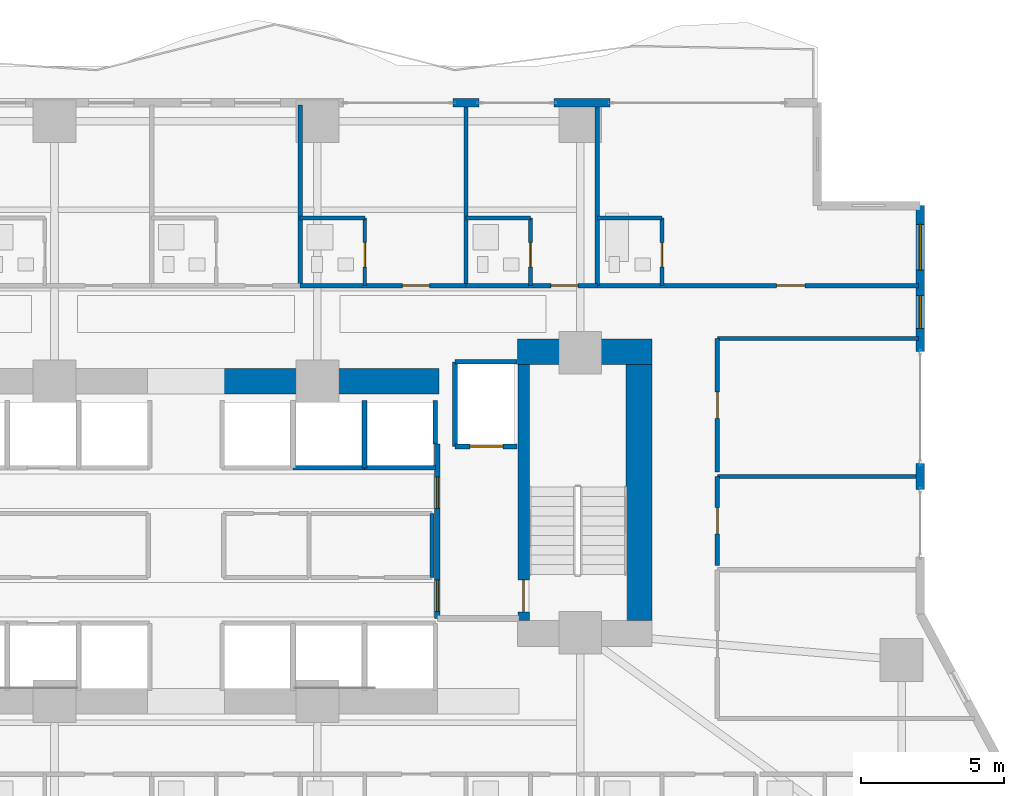
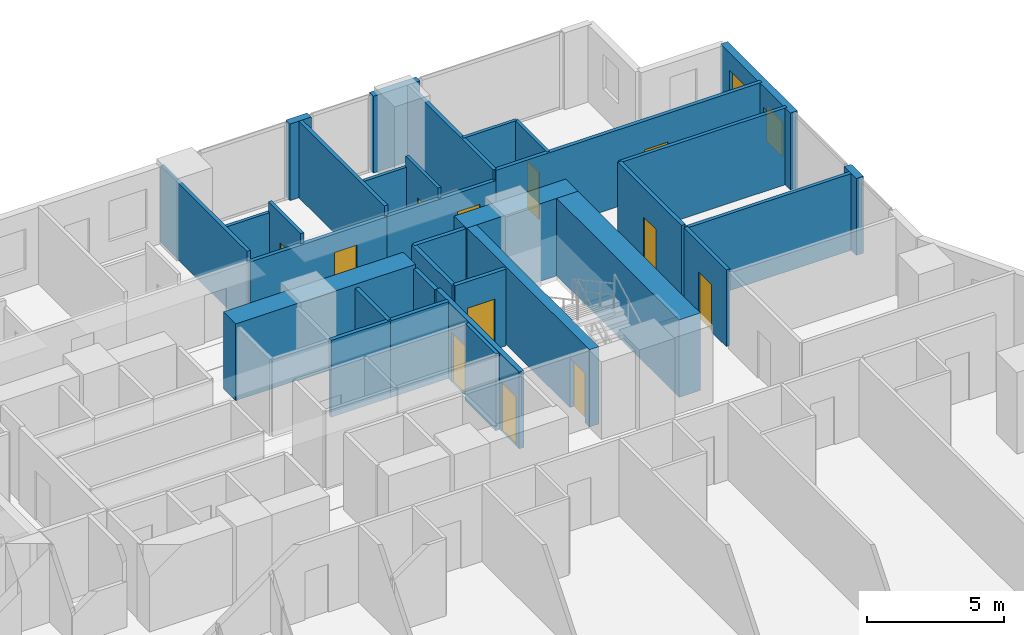
# One storey, part 22 of 28: 33 walls, 12 doors, 2 windows, 14 openings.
"""IFC4 building model written with IfcOpenShell, lengths in metres."""

from ifc_helpers import new_model, si_unit, direction, frame, frame_2d, origin, place, context, subcontext, project, spatial, rectangle, extrude, material, layer, layer_set, type_object, element, fill, save


model = new_model("IFC4")

# Units and contexts
model_context = context("Model", 3, precision=1e-05, world=origin(), true_north=direction((0.0, 1.0)))
body_context = subcontext(model_context, "Body", "Model", "MODEL_VIEW")
ifc_project = project(units=[si_unit("LENGTHUNIT", "METRE"), si_unit("AREAUNIT", "SQUARE_METRE"), si_unit("VOLUMEUNIT", "CUBIC_METRE"), si_unit("PLANEANGLEUNIT", "RADIAN"), si_unit("MASSUNIT", "GRAM", prefix="KILO")], contexts=[model_context])

# Site, building, storey
site_placement = place(None, origin())
site = spatial("IfcSite", under=ifc_project, at=site_placement, CompositionType="ELEMENT")
building_placement = place(site_placement, origin())
building = spatial("IfcBuilding", under=site, at=building_placement, Name="Zuhayl Quay Hotel", CompositionType="ELEMENT")
storey_placement = place(building_placement, frame((0.0, 0.0, 31.25)))
storey = spatial("IfcBuildingStorey", under=building, at=storey_placement, Name="L06", CompositionType="ELEMENT", Elevation=31.25)

# Walls
ifc_material_1 = material(Name="Concrete C70/85", Category="concrete")
ifc_layer_1 = layer(ifc_material_1, 0.89990234375, Name="Concrete C70/85", Category="concrete")
ifc_layer_set_1 = layer_set([ifc_layer_1], Name="Concrete C70/85")
wall_type_1 = type_object("IfcWallType", Name="WL_CORE_900", PredefinedType="SHEAR", material=ifc_layer_set_1)
wall_1_placement = place(storey_placement, frame((11.60009765625, 14.3798828125, 0.0), z_axis=(0.0, 0.0, 1.0), x_axis=(1.0, 0.0, 0.0)))
element("IfcWall", 1, at=wall_1_placement, inside=storey, type_object=wall_type_1, Name="L06 Core Shear Wall CW_NE", PredefinedType="SHEAR", context=body_context, shape_type="SweptSolid", body=[
    extrude(rectangle(XDim=4.7099609375, YDim=0.89990234375, at=frame_2d((2.35498046875, 0.0))), origin(), (0.0, 0.0, 1.0), 3.4599609375),
])
wall_2_placement = place(storey_placement, frame((15.860107421875, 4.969970703125, 0.0), z_axis=(0.0, 0.0, 1.0), x_axis=(0.0, 1.0, 0.0)))
element("IfcWall", 2, at=wall_2_placement, inside=storey, type_object=wall_type_1, Name="L06 Core Shear Wall CW_E", PredefinedType="SHEAR", context=body_context, shape_type="SweptSolid", body=[
    extrude(rectangle(XDim=8.9599609375, YDim=0.89990234375, at=frame_2d((4.47998046875, 0.0))), origin(), (0.0, 0.0, 1.0), 3.4599609375),
])
wall_3_placement = place(storey_placement, frame((1.25, 13.35009765625, 0.0), z_axis=(0.0, 0.0, 1.0), x_axis=(1.0, 0.0, 0.0)))
element("IfcWall", 3, at=wall_3_placement, inside=storey, type_object=wall_type_1, Name="L06 Core Shear Wall CW_NC_E", PredefinedType="SHEAR", context=body_context, shape_type="SweptSolid", body=[
    extrude(rectangle(XDim=7.60009765625, YDim=0.89990234375, at=frame_2d((3.800048828125, 0.0))), origin(), (0.0, 0.0, 1.0), 3.429931640625),
])
ifc_material_2 = material(Name="Precast concrete C45/55", Category="concrete")
ifc_layer_2 = layer(ifc_material_2, 0.300048828125, Name="Precast concrete C45/55", Category="concrete")
ifc_layer_set_2 = layer_set([ifc_layer_2], Name="Precast concrete C45/55")
wall_type_2 = type_object("IfcWallType", Name="WL_EXT_300", PredefinedType="STANDARD", material=ifc_layer_set_2)
wall_4_placement = place(storey_placement, frame((9.35009765625, 23.10009765625, 0.0), z_axis=(0.0, 0.0, 1.0), x_axis=(1.0, 0.0, 0.0)))
element("IfcWall", 4, at=wall_4_placement, inside=storey, type_object=wall_type_2, Name="L06 Exterior Precast Wall ENV_L06_N_EW3", PredefinedType="STANDARD", context=body_context, shape_type="SweptSolid", body=[
    extrude(rectangle(XDim=0.89990234375, YDim=0.300048828125, at=frame_2d((0.449951171875, 0.0))), origin(), (0.0, 0.0, 1.0), 3.429931640625),
])
wall_5_placement = place(storey_placement, frame((12.8798828125, 23.10009765625, 0.0), z_axis=(0.0, 0.0, 1.0), x_axis=(1.0, 0.0, 0.0)))
element("IfcWall", 5, at=wall_5_placement, inside=storey, type_object=wall_type_2, Name="L06 Exterior Precast Wall ENV_L06_N_EW4", PredefinedType="STANDARD", context=body_context, shape_type="SweptSolid", body=[
    extrude(rectangle(XDim=1.97021484375, YDim=0.300048828125, at=frame_2d((0.985107421875, 0.0))), origin(), (0.0, 0.0, 1.0), 3.429931640625),
])

# Wall, openings, windows
wall_6_placement = place(storey_placement, frame((25.699951171875, 19.5, 0.0), z_axis=(0.0, 0.0, 1.0), x_axis=(0.0, -1.0, 0.0)))
wall_6 = element("IfcWall", 6, at=wall_6_placement, inside=storey, type_object=wall_type_2, Name="L06 Exterior Precast Wall ENV_L06_E11_EW1", PredefinedType="STANDARD", context=body_context, shape_type="SweptSolid", body=[
    extrude(rectangle(XDim=5.10009765625, YDim=0.300048828125, at=frame_2d((2.550048828125, 0.0))), origin(), (0.0, 0.0, 1.0), 3.429931640625),
])
opening_1_placement = place(wall_6_placement, frame((0.659912109375, 0.0, 0.85009765625)))
opening_1 = element("IfcOpeningElement", 7, at=opening_1_placement, cuts=wall_6, Name="Opening W01", PredefinedType="OPENING", context=body_context, shape_type="SweptSolid", body=[
    extrude(rectangle(XDim=1.60009765625, YDim=1.800048828125, at=frame_2d((0.800048828125, 0.89990234375))), frame((0.0, 0.159912109375, 0.0), z_axis=(0.0, -1.0, 0.0), x_axis=(1.0, 0.0, 0.0)), (0.0, 0.0, 1.0), 0.320068359375),
])
opening_2_placement = place(wall_6_placement, frame((3.14990234375, 0.0, 0.949951171875)))
opening_2 = element("IfcOpeningElement", 8, at=opening_2_placement, cuts=wall_6, Name="Opening W01N", PredefinedType="OPENING", context=body_context, shape_type="SweptSolid", body=[
    extrude(rectangle(XDim=1.14990234375, YDim=1.550048828125, at=frame_2d((0.574951171875, 0.77490234375))), frame((0.0, 0.159912109375, 0.0), z_axis=(0.0, -1.0, 0.0), x_axis=(1.0, 0.0, 0.0)), (0.0, 0.0, 1.0), 0.320068359375),
])
ifc_material_3 = material(Name="Dark Ceramic-Fritted Solar Glass", Category="glass")
window_type_1 = type_object("IfcWindowType", Name="WN_NOTCH_1350", PartitioningType="SINGLE_PANEL", PredefinedType="WINDOW", material=ifc_material_3)
window_1_placement = place(opening_2_placement, origin())
window_1 = element("IfcWindow", 9, at=window_1_placement, inside=storey, type_object=window_type_1, Name="L06 Operable Facade Window 1-2", OverallHeight=1.550048828125, OverallWidth=1.14990234375, PartitioningType="SINGLE_PANEL", PredefinedType="WINDOW", context=body_context, shape_type="SweptSolid", body=[
    extrude(rectangle(XDim=1.14990234375, YDim=1.550048828125, at=frame_2d((0.574951171875, 0.77490234375))), frame((0.0, 0.030029296875, 0.0), z_axis=(0.0, -1.0, 0.0), x_axis=(1.0, 0.0, 0.0)), (0.0, 0.0, 1.0), 0.06005859375),
])
fill(opening_2, window_1)
window_type_2 = type_object("IfcWindowType", Name="WN_OPERABLE_1600", PartitioningType="DOUBLE_PANEL_VERTICAL", PredefinedType="WINDOW", material=ifc_material_3)
window_2_placement = place(opening_1_placement, origin())
window_2 = element("IfcWindow", 10, at=window_2_placement, inside=storey, type_object=window_type_2, Name="L06 Operable Facade Window 1-1", OverallHeight=1.800048828125, OverallWidth=1.60009765625, PartitioningType="SINGLE_PANEL", PredefinedType="WINDOW", context=body_context, shape_type="SweptSolid", body=[
    extrude(rectangle(XDim=1.60009765625, YDim=1.800048828125, at=frame_2d((0.800048828125, 0.89990234375))), frame((0.0, 0.030029296875, 0.0), z_axis=(0.0, -1.0, 0.0), x_axis=(1.0, 0.0, 0.0)), (0.0, 0.0, 1.0), 0.06005859375),
])
fill(opening_1, window_2)

# Walls
wall_7_placement = place(storey_placement, frame((25.699951171875, 10.469970703125, 0.0), z_axis=(0.0, 0.0, 1.0), x_axis=(0.0, -1.0, 0.0)))
element("IfcWall", 11, at=wall_7_placement, inside=storey, type_object=wall_type_2, Name="L06 Exterior Precast Wall ENV_L06_E11_EW2", PredefinedType="STANDARD", context=body_context, shape_type="SweptSolid", body=[
    extrude(rectangle(XDim=0.89990234375, YDim=0.300048828125, at=frame_2d((0.449951171875, 0.0))), origin(), (0.0, 0.0, 1.0), 3.429931640625),
])
ifc_material_4 = material(Name="Acoustic Gypsum Partition STC-58")
ifc_layer_3 = layer(ifc_material_4, 0.14990234375, Name="Acoustic Gypsum Partition STC-58")
ifc_layer_set_3 = layer_set([ifc_layer_3], Name="Acoustic Gypsum Partition STC-58")
wall_type_3 = type_object("IfcWallType", Name="WL_PART_150", PredefinedType="PARTITIONING", material=ifc_layer_set_3)
wall_8_placement = place(storey_placement, frame((8.610107421875, 6.47998046875, 0.0), z_axis=(0.0, 0.0, 1.0), x_axis=(0.0, 1.0, 0.0)))
element("IfcWall", 12, at=wall_8_placement, inside=storey, type_object=wall_type_3, Name="L06 Partition IW_L06_CORE_LN_E", PredefinedType="PARTITIONING", context=body_context, shape_type="SweptSolid", body=[
    extrude(rectangle(XDim=2.239990234375, YDim=0.14990234375, at=frame_2d((1.1201171875, 0.0))), origin(), (0.0, 0.0, 1.0), 3.429931640625),
])
for number, where, z_axis, x_axis, name in (
    (13, (4.0, 16.699951171875, 0.0), (0.0, 0.0, 1.0), (0.0, 1.0, 0.0), "L06 Partition IW_L06_NU04_E"),
    (14, (9.800048828125, 16.699951171875, 0.0), (0.0, 0.0, 1.0), (0.0, 1.0, 0.0), "L06 Partition IW_L06_NU05_E"),
    (15, (14.39990234375, 16.699951171875, 0.0), (0.0, 0.0, 1.0), (0.0, 1.0, 0.0), "L06 Partition IW_L06_NU06_E"),
):
    element("IfcWall", number, at=place(storey_placement, frame(where, z_axis=z_axis, x_axis=x_axis)), inside=storey, type_object=wall_type_3, Name=name, PredefinedType="PARTITIONING", context=body_context, shape_type="SweptSolid", body=[
        extrude(rectangle(XDim=6.320068359375, YDim=0.14990234375, at=frame_2d((3.16015625, 0.0))), origin(), (0.0, 0.0, 1.0), 3.429931640625),
    ])
for number, where, z_axis, x_axis, name in (
    (16, (18.60009765625, 10.02001953125, 0.0), (0.0, 0.0, 1.0), (1.0, 0.0, 0.0), "L06 Partition IW_L06_EFLK_2_N"),
    (17, (18.60009765625, 14.85009765625, 0.0), (0.0, 0.0, 1.0), (1.0, 0.0, 0.0), "L06 Partition IW_L06_EFLK_3_N"),
):
    element("IfcWall", number, at=place(storey_placement, frame(where, z_axis=z_axis, x_axis=x_axis)), inside=storey, type_object=wall_type_3, Name=name, PredefinedType="PARTITIONING", context=body_context, shape_type="SweptSolid", body=[
        extrude(rectangle(XDim=7.039794921875, YDim=0.14990234375, at=frame_2d((3.52001953125, 0.0))), origin(), (0.0, 0.0, 1.0), 3.429931640625),
    ])

# Wall, opening, door
ifc_layer_4 = layer(ifc_material_4, 0.159912109375, Name="Acoustic Gypsum Partition STC-58")
ifc_layer_set_4 = layer_set([ifc_layer_4], Name="Acoustic Gypsum Partition STC-58")
wall_type_4 = type_object("IfcWallType", Name="WL_PART_CORR_160", PredefinedType="PARTITIONING", material=ifc_layer_set_4)
wall_9_placement = place(storey_placement, frame((4.0, 16.699951171875, 0.0), z_axis=(0.0, 0.0, 1.0), x_axis=(1.0, 0.0, 0.0)))
wall_9 = element("IfcWall", 18, at=wall_9_placement, inside=storey, type_object=wall_type_4, Name="L06 Partition IW_L06_NU05_COR", PredefinedType="PARTITIONING", context=body_context, shape_type="SweptSolid", body=[
    extrude(rectangle(XDim=5.800048828125, YDim=0.159912109375, at=frame_2d((2.89990234375, 0.0))), origin(), (0.0, 0.0, 1.0), 2.972900390625),
])
opening_3_placement = place(wall_9_placement, frame((3.574951171875, 0.0, 0.0)))
opening_3 = element("IfcOpeningElement", 19, at=opening_3_placement, cuts=wall_9, Name="Opening D03", PredefinedType="OPENING", context=body_context, shape_type="SweptSolid", body=[
    extrude(rectangle(XDim=0.949951171875, YDim=2.14990234375, at=frame_2d((0.47509765625, 1.074951171875))), frame((0.0, 0.08984375, 0.0), z_axis=(0.0, -1.0, 0.0), x_axis=(1.0, 0.0, 0.0)), (0.0, 0.0, 1.0), 0.179931640625),
])
ifc_material_5 = material(Name="Solid Walnut Acoustic Fire Door")
door_type_1 = type_object("IfcDoorType", Name="DR_SUITE_950", OperationType="NOTDEFINED", PredefinedType="DOOR", material=ifc_material_5)
door_1_placement = place(opening_3_placement, origin())
door_1 = element("IfcDoor", 20, at=door_1_placement, inside=storey, type_object=door_type_1, Name="L06 Deluxe Gulf Guest Room L06-05 Entrance Door", OperationType="SINGLE_SWING_LEFT", OverallHeight=2.14990234375, OverallWidth=0.949951171875, PredefinedType="DOOR", context=body_context, shape_type="SweptSolid", body=[
    extrude(rectangle(XDim=0.949951171875, YDim=2.14990234375, at=frame_2d((0.47509765625, 1.074951171875))), frame((0.0, 0.02490234375, 0.0), z_axis=(0.0, -1.0, 0.0), x_axis=(1.0, 0.0, 0.0)), (0.0, 0.0, 1.0), 0.050048828125),
])
fill(opening_3, door_1)

wall_10_placement = place(storey_placement, frame((9.800048828125, 16.699951171875, 0.0), z_axis=(0.0, 0.0, 1.0), x_axis=(1.0, 0.0, 0.0)))
wall_10 = element("IfcWall", 21, at=wall_10_placement, inside=storey, type_object=wall_type_4, Name="L06 Partition IW_L06_NU06_COR", PredefinedType="PARTITIONING", context=body_context, shape_type="SweptSolid", body=[
    extrude(rectangle(XDim=4.599853515625, YDim=0.159912109375, at=frame_2d((2.2998046875, 0.0))), origin(), (0.0, 0.0, 1.0), 2.972900390625),
])
opening_4_placement = place(wall_10_placement, frame((2.97509765625, 0.0, 0.0)))
opening_4 = element("IfcOpeningElement", 22, at=opening_4_placement, cuts=wall_10, Name="Opening D03", PredefinedType="OPENING", context=body_context, shape_type="SweptSolid", body=[
    extrude(rectangle(XDim=0.949951171875, YDim=2.14990234375, at=frame_2d((0.47509765625, 1.074951171875))), frame((0.0, 0.08984375, 0.0), z_axis=(0.0, -1.0, 0.0), x_axis=(1.0, 0.0, 0.0)), (0.0, 0.0, 1.0), 0.179931640625),
])
door_2_placement = place(opening_4_placement, origin())
door_2 = element("IfcDoor", 23, at=door_2_placement, inside=storey, type_object=door_type_1, Name="L06 Deluxe Gulf Guest Room L06-06 Entrance Door", OperationType="SINGLE_SWING_LEFT", OverallHeight=2.14990234375, OverallWidth=0.949951171875, PredefinedType="DOOR", context=body_context, shape_type="SweptSolid", body=[
    extrude(rectangle(XDim=0.949951171875, YDim=2.14990234375, at=frame_2d((0.47509765625, 1.074951171875))), frame((0.0, 0.02490234375, 0.0), z_axis=(0.0, -1.0, 0.0), x_axis=(1.0, 0.0, 0.0)), (0.0, 0.0, 1.0), 0.050048828125),
])
fill(opening_4, door_2)

wall_11_placement = place(storey_placement, frame((14.39990234375, 16.699951171875, 0.0), z_axis=(0.0, 0.0, 1.0), x_axis=(1.0, 0.0, 0.0)))
wall_11 = element("IfcWall", 24, at=wall_11_placement, inside=storey, type_object=wall_type_4, Name="L06 Partition IW_L06_NU07_COR", PredefinedType="PARTITIONING", context=body_context, shape_type="SweptSolid", body=[
    extrude(rectangle(XDim=11.239990234375, YDim=0.159912109375, at=frame_2d((5.6201171875, 0.0))), origin(), (0.0, 0.0, 1.0), 3.429931640625),
])
opening_5_placement = place(wall_11_placement, frame((6.27001953125, 0.0, 0.0)))
opening_5 = element("IfcOpeningElement", 25, at=opening_5_placement, cuts=wall_11, Name="Opening D03L", PredefinedType="OPENING", context=body_context, shape_type="SweptSolid", body=[
    extrude(rectangle(XDim=1.0, YDim=2.14990234375, at=frame_2d((0.5, 1.074951171875))), frame((0.0, 0.08984375, 0.0), z_axis=(0.0, -1.0, 0.0), x_axis=(1.0, 0.0, 0.0)), (0.0, 0.0, 1.0), 0.179931640625),
])
door_type_2 = type_object("IfcDoorType", Name="DR_SUITE_1000", OperationType="NOTDEFINED", PredefinedType="DOOR", material=ifc_material_5)
door_3_placement = place(opening_5_placement, origin())
door_3 = element("IfcDoor", 26, at=door_3_placement, inside=storey, type_object=door_type_2, Name="L06 Deluxe Gulf Guest Room L06-07 Entrance Door", OperationType="SINGLE_SWING_LEFT", OverallHeight=2.14990234375, OverallWidth=1.0, PredefinedType="DOOR", context=body_context, shape_type="SweptSolid", body=[
    extrude(rectangle(XDim=1.0, YDim=2.14990234375, at=frame_2d((0.5, 1.074951171875))), frame((0.0, 0.02490234375, 0.0), z_axis=(0.0, -1.0, 0.0), x_axis=(1.0, 0.0, 0.0)), (0.0, 0.0, 1.0), 0.050048828125),
])
fill(opening_5, door_3)

wall_12_placement = place(storey_placement, frame((18.60009765625, 6.909912109375, 0.0), z_axis=(0.0, 0.0, 1.0), x_axis=(0.0, 1.0, 0.0)))
wall_12 = element("IfcWall", 27, at=wall_12_placement, inside=storey, type_object=wall_type_4, Name="L06 Partition IW_L06_EFLK_2_W", PredefinedType="PARTITIONING", context=body_context, shape_type="SweptSolid", body=[
    extrude(rectangle(XDim=3.110107421875, YDim=0.159912109375, at=frame_2d((1.55517578125, 0.0))), origin(), (0.0, 0.0, 1.0), 3.429931640625),
])
opening_6_placement = place(wall_12_placement, frame((1.094970703125, 0.0, 0.0)))
opening_6 = element("IfcOpeningElement", 28, at=opening_6_placement, cuts=wall_12, Name="Opening D05", PredefinedType="OPENING", context=body_context, shape_type="SweptSolid", body=[
    extrude(rectangle(XDim=0.919921875, YDim=2.1201171875, at=frame_2d((0.4599609375, 1.06005859375))), frame((0.0, 0.08984375, 0.0), z_axis=(0.0, -1.0, 0.0), x_axis=(1.0, 0.0, 0.0)), (0.0, 0.0, 1.0), 0.179931640625),
])
door_type_3 = type_object("IfcDoorType", Name="DR_INT_950", OperationType="NOTDEFINED", PredefinedType="DOOR", material=ifc_material_5)
door_4_placement = place(opening_6_placement, origin())
door_4 = element("IfcDoor", 29, at=door_4_placement, inside=storey, type_object=door_type_3, Name="L06 Floor Beverage Pantry Door", OperationType="SINGLE_SWING_LEFT", OverallHeight=2.1201171875, OverallWidth=0.919921875, PredefinedType="DOOR", context=body_context, shape_type="SweptSolid", body=[
    extrude(rectangle(XDim=0.919921875, YDim=2.1201171875, at=frame_2d((0.4599609375, 1.06005859375))), frame((0.0, 0.02490234375, 0.0), z_axis=(0.0, -1.0, 0.0), x_axis=(1.0, 0.0, 0.0)), (0.0, 0.0, 1.0), 0.050048828125),
])
fill(opening_6, door_4)

wall_13_placement = place(storey_placement, frame((18.60009765625, 10.179931640625, 0.0), z_axis=(0.0, 0.0, 1.0), x_axis=(0.0, 1.0, 0.0)))
wall_13 = element("IfcWall", 30, at=wall_13_placement, inside=storey, type_object=wall_type_4, Name="L06 Partition IW_L06_EFLK_3_W", PredefinedType="PARTITIONING", context=body_context, shape_type="SweptSolid", body=[
    extrude(rectangle(XDim=4.670166015625, YDim=0.159912109375, at=frame_2d((2.3349609375, 0.0))), origin(), (0.0, 0.0, 1.0), 3.429931640625),
])
opening_7_placement = place(wall_13_placement, frame((1.875, 0.0, 0.0)))
opening_7 = element("IfcOpeningElement", 31, at=opening_7_placement, cuts=wall_13, Name="Opening D05", PredefinedType="OPENING", context=body_context, shape_type="SweptSolid", body=[
    extrude(rectangle(XDim=0.919921875, YDim=2.1201171875, at=frame_2d((0.4599609375, 1.06005859375))), frame((0.0, 0.08984375, 0.0), z_axis=(0.0, -1.0, 0.0), x_axis=(1.0, 0.0, 0.0)), (0.0, 0.0, 1.0), 0.179931640625),
])
door_5_placement = place(opening_7_placement, origin())
door_5 = element("IfcDoor", 32, at=door_5_placement, inside=storey, type_object=door_type_3, Name="L06 East Prow Office L06 Door", OperationType="SINGLE_SWING_RIGHT", OverallHeight=2.1201171875, OverallWidth=0.919921875, PredefinedType="DOOR", context=body_context, shape_type="SweptSolid", body=[
    extrude(rectangle(XDim=0.919921875, YDim=2.1201171875, at=frame_2d((0.4599609375, 1.06005859375))), frame((0.0, 0.02490234375, 0.0), z_axis=(0.0, -1.0, 0.0), x_axis=(1.0, 0.0, 0.0)), (0.0, 0.0, 1.0), 0.050048828125),
])
fill(opening_7, door_5)

ifc_material_6 = material(Name="Moisture-Resistant Sanitarychase Gypsum")
ifc_layer_5 = layer(ifc_material_6, 0.135009765625, Name="Moisture-Resistant Sanitarychase Gypsum")
ifc_layer_set_5 = layer_set([ifc_layer_5], Name="Moisture-Resistant Sanitarychase Gypsum")
wall_type_5 = type_object("IfcWallType", Name="WL_PART_PLUMB_150", PredefinedType="PLUMBINGWALL", material=ifc_layer_set_5)
wall_14_placement = place(storey_placement, frame((6.260009765625, 16.699951171875, 0.0), z_axis=(0.0, 0.0, 1.0), x_axis=(0.0, 1.0, 0.0)))
wall_14 = element("IfcWall", 33, at=wall_14_placement, inside=storey, type_object=wall_type_5, Name="L06 Partition IW_L06_NU05_BE", PredefinedType="PLUMBINGWALL", context=body_context, shape_type="SweptSolid", body=[
    extrude(rectangle(XDim=2.360107421875, YDim=0.135009765625, at=frame_2d((1.18017578125, 0.0))), origin(), (0.0, 0.0, 1.0), 3.429931640625),
])
opening_8_placement = place(wall_14_placement, frame((0.64990234375, 0.0, 0.0)))
opening_8 = element("IfcOpeningElement", 34, at=opening_8_placement, cuts=wall_14, Name="Opening D04", PredefinedType="OPENING", context=body_context, shape_type="SweptSolid", body=[
    extrude(rectangle(XDim=0.85009765625, YDim=2.10009765625, at=frame_2d((0.425048828125, 1.050048828125))), frame((0.0, 0.077392578125, 0.0), z_axis=(0.0, -1.0, 0.0), x_axis=(1.0, 0.0, 0.0)), (0.0, 0.0, 1.0), 0.155029296875),
])
ifc_material_7 = material(Name="Moisture-Resistant Walnut Veneer")
door_type_4 = type_object("IfcDoorType", Name="DR_BATH_850", OperationType="NOTDEFINED", PredefinedType="DOOR", material=ifc_material_7)
door_6_placement = place(opening_8_placement, origin())
door_6 = element("IfcDoor", 35, at=door_6_placement, inside=storey, type_object=door_type_4, Name="L06 Deluxe Gulf Guest Room L06-05 En-Suite Door", OperationType="SINGLE_SWING_RIGHT", OverallHeight=2.10009765625, OverallWidth=0.85009765625, PredefinedType="DOOR", context=body_context, shape_type="SweptSolid", body=[
    extrude(rectangle(XDim=0.85009765625, YDim=2.10009765625, at=frame_2d((0.425048828125, 1.050048828125))), frame((0.0, 0.02490234375, 0.0), z_axis=(0.0, -1.0, 0.0), x_axis=(1.0, 0.0, 0.0)), (0.0, 0.0, 1.0), 0.050048828125),
])
fill(opening_8, door_6)

wall_15_placement = place(storey_placement, frame((12.06005859375, 16.699951171875, 0.0), z_axis=(0.0, 0.0, 1.0), x_axis=(0.0, 1.0, 0.0)))
wall_15 = element("IfcWall", 36, at=wall_15_placement, inside=storey, type_object=wall_type_5, Name="L06 Partition IW_L06_NU06_BE", PredefinedType="PLUMBINGWALL", context=body_context, shape_type="SweptSolid", body=[
    extrude(rectangle(XDim=2.360107421875, YDim=0.135009765625, at=frame_2d((1.18017578125, 0.0))), origin(), (0.0, 0.0, 1.0), 3.429931640625),
])
opening_9_placement = place(wall_15_placement, frame((0.64990234375, 0.0, 0.0)))
opening_9 = element("IfcOpeningElement", 37, at=opening_9_placement, cuts=wall_15, Name="Opening D04", PredefinedType="OPENING", context=body_context, shape_type="SweptSolid", body=[
    extrude(rectangle(XDim=0.85009765625, YDim=2.10009765625, at=frame_2d((0.425048828125, 1.050048828125))), frame((0.0, 0.077392578125, 0.0), z_axis=(0.0, -1.0, 0.0), x_axis=(1.0, 0.0, 0.0)), (0.0, 0.0, 1.0), 0.155029296875),
])
door_7_placement = place(opening_9_placement, origin())
door_7 = element("IfcDoor", 38, at=door_7_placement, inside=storey, type_object=door_type_4, Name="L06 Deluxe Gulf Guest Room L06-06 En-Suite Door", OperationType="SINGLE_SWING_RIGHT", OverallHeight=2.10009765625, OverallWidth=0.85009765625, PredefinedType="DOOR", context=body_context, shape_type="SweptSolid", body=[
    extrude(rectangle(XDim=0.85009765625, YDim=2.10009765625, at=frame_2d((0.425048828125, 1.050048828125))), frame((0.0, 0.02490234375, 0.0), z_axis=(0.0, -1.0, 0.0), x_axis=(1.0, 0.0, 0.0)), (0.0, 0.0, 1.0), 0.050048828125),
])
fill(opening_9, door_7)

wall_16_placement = place(storey_placement, frame((16.659912109375, 16.699951171875, 0.0), z_axis=(0.0, 0.0, 1.0), x_axis=(0.0, 1.0, 0.0)))
wall_16 = element("IfcWall", 39, at=wall_16_placement, inside=storey, type_object=wall_type_5, Name="L06 Partition IW_L06_NU07_BE", PredefinedType="PLUMBINGWALL", context=body_context, shape_type="SweptSolid", body=[
    extrude(rectangle(XDim=2.360107421875, YDim=0.135009765625, at=frame_2d((1.18017578125, 0.0))), origin(), (0.0, 0.0, 1.0), 3.429931640625),
])
opening_10_placement = place(wall_16_placement, frame((0.64990234375, 0.0, 0.0)))
opening_10 = element("IfcOpeningElement", 40, at=opening_10_placement, cuts=wall_16, Name="Opening D04", PredefinedType="OPENING", context=body_context, shape_type="SweptSolid", body=[
    extrude(rectangle(XDim=0.85009765625, YDim=2.10009765625, at=frame_2d((0.425048828125, 1.050048828125))), frame((0.0, 0.077392578125, 0.0), z_axis=(0.0, -1.0, 0.0), x_axis=(1.0, 0.0, 0.0)), (0.0, 0.0, 1.0), 0.155029296875),
])
door_8_placement = place(opening_10_placement, origin())
door_8 = element("IfcDoor", 41, at=door_8_placement, inside=storey, type_object=door_type_4, Name="L06 Deluxe Gulf Guest Room L06-07 En-Suite Door", OperationType="SINGLE_SWING_RIGHT", OverallHeight=2.10009765625, OverallWidth=0.85009765625, PredefinedType="DOOR", context=body_context, shape_type="SweptSolid", body=[
    extrude(rectangle(XDim=0.85009765625, YDim=2.10009765625, at=frame_2d((0.425048828125, 1.050048828125))), frame((0.0, 0.02490234375, 0.0), z_axis=(0.0, -1.0, 0.0), x_axis=(1.0, 0.0, 0.0)), (0.0, 0.0, 1.0), 0.050048828125),
])
fill(opening_10, door_8)

# Walls
for number, where, z_axis, x_axis, name in (
    (42, (4.0, 19.06005859375, 0.0), (0.0, 0.0, 1.0), (1.0, 0.0, 0.0), "L06 Partition IW_L06_NU05_BN"),
    (43, (9.800048828125, 19.06005859375, 0.0), (0.0, 0.0, 1.0), (1.0, 0.0, 0.0), "L06 Partition IW_L06_NU06_BN"),
):
    element("IfcWall", number, at=place(storey_placement, frame(where, z_axis=z_axis, x_axis=x_axis)), inside=storey, type_object=wall_type_5, Name=name, PredefinedType="PLUMBINGWALL", context=body_context, shape_type="SweptSolid", body=[
        extrude(rectangle(XDim=2.260009765625, YDim=0.135009765625, at=frame_2d((1.1298828125, 0.0))), origin(), (0.0, 0.0, 1.0), 2.972900390625),
    ])
wall_17_placement = place(storey_placement, frame((14.39990234375, 19.06005859375, 0.0), z_axis=(0.0, 0.0, 1.0), x_axis=(1.0, 0.0, 0.0)))
element("IfcWall", 44, at=wall_17_placement, inside=storey, type_object=wall_type_5, Name="L06 Partition IW_L06_NU07_BN", PredefinedType="PLUMBINGWALL", context=body_context, shape_type="SweptSolid", body=[
    extrude(rectangle(XDim=2.260009765625, YDim=0.135009765625, at=frame_2d((1.1298828125, 0.0))), origin(), (0.0, 0.0, 1.0), 3.429931640625),
])

# Wall, opening, door
ifc_material_8 = material(Name="Gypsum Fireboard Assembly EI-90")
ifc_layer_6 = layer(ifc_material_8, 0.1650390625, Name="Gypsum Fireboard Assembly EI-90")
ifc_layer_set_6 = layer_set([ifc_layer_6], Name="Gypsum Fireboard Assembly EI-90")
wall_type_6 = type_object("IfcWallType", Name="WL_PART_SHAFT_160", PredefinedType="PARTITIONING", material=ifc_layer_set_6)
wall_18_placement = place(storey_placement, frame((9.419921875, 11.070068359375, 0.0), z_axis=(0.0, 0.0, 1.0), x_axis=(1.0, 0.0, 0.0)))
wall_18 = element("IfcWall", 45, at=wall_18_placement, inside=storey, type_object=wall_type_6, Name="L06 Partition IW_L06_SH_FL2_F", PredefinedType="PARTITIONING", context=body_context, shape_type="SweptSolid", body=[
    extrude(rectangle(XDim=2.16015625, YDim=0.1650390625, at=frame_2d((1.080078125, 0.0))), origin(), (0.0, 0.0, 1.0), 3.429931640625),
])
opening_11_placement = place(wall_18_placement, frame((0.530029296875, 0.0, 0.0)))
opening_11 = element("IfcOpeningElement", 46, at=opening_11_placement, cuts=wall_18, Name="Opening LD2", PredefinedType="OPENING", context=body_context, shape_type="SweptSolid", body=[
    extrude(rectangle(XDim=1.14990234375, YDim=2.25, at=frame_2d((0.574951171875, 1.125))), frame((0.0, 0.092529296875, 0.0), z_axis=(0.0, -1.0, 0.0), x_axis=(1.0, 0.0, 0.0)), (0.0, 0.0, 1.0), 0.18505859375),
])
ifc_material_9 = material(Name="Brushed Stainless Steel", Category="steel")
door_type_5 = type_object("IfcDoorType", Name="DR_LIFT_FF_1100", OperationType="SLIDING_TO_LEFT", PredefinedType="DOOR", material=ifc_material_9)
door_9_placement = place(opening_11_placement, origin())
door_9 = element("IfcDoor", 47, at=door_9_placement, inside=storey, type_object=door_type_5, Name="L06 Lift FL2 Sliding Landing Door", OperationType="SLIDING_TO_LEFT", OverallHeight=2.25, OverallWidth=1.14990234375, PredefinedType="DOOR", context=body_context, shape_type="SweptSolid", body=[
    extrude(rectangle(XDim=1.14990234375, YDim=2.25, at=frame_2d((0.574951171875, 1.125))), frame((0.0, 0.02490234375, 0.0), z_axis=(0.0, -1.0, 0.0), x_axis=(1.0, 0.0, 0.0)), (0.0, 0.0, 1.0), 0.050048828125),
])
fill(opening_11, door_9)

# Walls
wall_19_placement = place(storey_placement, frame((9.419921875, 11.070068359375, 0.0), z_axis=(0.0, 0.0, 1.0), x_axis=(0.0, 1.0, 0.0)))
element("IfcWall", 48, at=wall_19_placement, inside=storey, type_object=wall_type_6, Name="L06 Partition IW_L06_SH_FL2_W", PredefinedType="PARTITIONING", context=body_context, shape_type="SweptSolid", body=[
    extrude(rectangle(XDim=2.9599609375, YDim=0.1650390625, at=frame_2d((1.47998046875, 0.0))), origin(), (0.0, 0.0, 1.0), 3.429931640625),
])
wall_20_placement = place(storey_placement, frame((9.419921875, 14.030029296875, 0.0), z_axis=(0.0, 0.0, 1.0), x_axis=(1.0, 0.0, 0.0)))
element("IfcWall", 49, at=wall_20_placement, inside=storey, type_object=wall_type_6, Name="L06 Partition IW_L06_SH_FL2_B", PredefinedType="PARTITIONING", context=body_context, shape_type="SweptSolid", body=[
    extrude(rectangle(XDim=2.16015625, YDim=0.1650390625, at=frame_2d((1.080078125, 0.0))), origin(), (0.0, 0.0, 1.0), 3.429931640625),
])
wall_21_placement = place(storey_placement, frame((3.75, 10.320068359375, 0.0), z_axis=(0.0, 0.0, 1.0), x_axis=(1.0, 0.0, 0.0)))
element("IfcWall", 50, at=wall_21_placement, inside=storey, type_object=wall_type_6, Name="L06 Partition IW_L06_SH_HP3_F", PredefinedType="PARTITIONING", context=body_context, shape_type="SweptSolid", body=[
    extrude(rectangle(XDim=2.5, YDim=0.1650390625, at=frame_2d((1.25, 0.0))), origin(), (0.0, 0.0, 1.0), 3.429931640625),
])
wall_22_placement = place(storey_placement, frame((6.25, 10.320068359375, 0.0), z_axis=(0.0, 0.0, 1.0), x_axis=(0.0, 1.0, 0.0)))
element("IfcWall", 51, at=wall_22_placement, inside=storey, type_object=wall_type_6, Name="L06 Partition IW_L06_SH_HP3_E", PredefinedType="PARTITIONING", context=body_context, shape_type="SweptSolid", body=[
    extrude(rectangle(XDim=2.35986328125, YDim=0.1650390625, at=frame_2d((1.179931640625, 0.0))), origin(), (0.0, 0.0, 1.0), 3.429931640625),
])
wall_23_placement = place(storey_placement, frame((6.25, 10.320068359375, 0.0), z_axis=(0.0, 0.0, 1.0), x_axis=(1.0, 0.0, 0.0)))
element("IfcWall", 52, at=wall_23_placement, inside=storey, type_object=wall_type_6, Name="L06 Partition IW_L06_SH_HP4_F", PredefinedType="PARTITIONING", context=body_context, shape_type="SweptSolid", body=[
    extrude(rectangle(XDim=2.47998046875, YDim=0.1650390625, at=frame_2d((1.239990234375, 0.0))), origin(), (0.0, 0.0, 1.0), 3.429931640625),
])
wall_24_placement = place(storey_placement, frame((8.72998046875, 11.14990234375, 0.0), z_axis=(0.0, 0.0, 1.0), x_axis=(0.0, 1.0, 0.0)))
element("IfcWall", 53, at=wall_24_placement, inside=storey, type_object=wall_type_6, Name="L06 Partition IW_L06_SH_HP4_E", PredefinedType="PARTITIONING", context=body_context, shape_type="SweptSolid", body=[
    extrude(rectangle(XDim=1.530029296875, YDim=0.1650390625, at=frame_2d((0.76513671875, 0.0))), origin(), (0.0, 0.0, 1.0), 3.429931640625),
])

# Wall, openings, doors
ifc_material_10 = material(Name="Gypsum Fireboard Assembly EI-120")
ifc_layer_7 = layer(ifc_material_10, 0.199951171875, Name="Gypsum Fireboard Assembly EI-120")
ifc_layer_set_7 = layer_set([ifc_layer_7], Name="Gypsum Fireboard Assembly EI-120")
wall_type_7 = type_object("IfcWallType", Name="WL_PART_SHAFT_200", PredefinedType="PARTITIONING", material=ifc_layer_set_7)
wall_25_placement = place(storey_placement, frame((8.800048828125, 11.14990234375, 0.0), z_axis=(0.0, 0.0, 1.0), x_axis=(0.0, -1.0, 0.0)))
wall_25 = element("IfcWall", 54, at=wall_25_placement, inside=storey, type_object=wall_type_7, Name="L06 Partition IW_L06_FSAE_E_W", PredefinedType="PARTITIONING", context=body_context, shape_type="SweptSolid", body=[
    extrude(rectangle(XDim=6.099853515625, YDim=0.199951171875, at=frame_2d((3.0498046875, 0.0))), origin(), (0.0, 0.0, 1.0), 3.429931640625),
])
opening_12_placement = place(wall_25_placement, frame((1.14990234375, 0.0, 0.0)))
opening_12 = element("IfcOpeningElement", 55, at=opening_12_placement, cuts=wall_25, Name="Opening D02", PredefinedType="OPENING", context=body_context, shape_type="SweptSolid", body=[
    extrude(rectangle(XDim=1.10009765625, YDim=2.199951171875, at=frame_2d((0.550048828125, 1.10009765625))), frame((0.0, 0.10986328125, 0.0), z_axis=(0.0, -1.0, 0.0), x_axis=(1.0, 0.0, 0.0)), (0.0, 0.0, 1.0), 0.219970703125),
])
opening_13_placement = place(wall_25_placement, frame((4.75, 0.0, 0.0)))
opening_13 = element("IfcOpeningElement", 56, at=opening_13_placement, cuts=wall_25, Name="Opening D02", PredefinedType="OPENING", context=body_context, shape_type="SweptSolid", body=[
    extrude(rectangle(XDim=1.10009765625, YDim=2.199951171875, at=frame_2d((0.550048828125, 1.10009765625))), frame((0.0, 0.10986328125, 0.0), z_axis=(0.0, -1.0, 0.0), x_axis=(1.0, 0.0, 0.0)), (0.0, 0.0, 1.0), 0.219970703125),
])
ifc_material_11 = material(Name="Steel ASTM A992 Grade 50", Category="steel")
door_type_6 = type_object("IfcDoorType", Name="DR_FIRE_90_1100", OperationType="NOTDEFINED", PredefinedType="DOOR", material=ifc_material_11)
door_10_placement = place(opening_12_placement, origin())
door_10 = element("IfcDoor", 57, at=door_10_placement, inside=storey, type_object=door_type_6, Name="L06 FSAE Lobby East North Entry Door", OperationType="SINGLE_SWING_RIGHT", OverallHeight=2.199951171875, OverallWidth=1.10009765625, PredefinedType="DOOR", context=body_context, shape_type="SweptSolid", body=[
    extrude(rectangle(XDim=1.10009765625, YDim=2.199951171875, at=frame_2d((0.550048828125, 1.10009765625))), frame((0.0, 0.02490234375, 0.0), z_axis=(0.0, -1.0, 0.0), x_axis=(1.0, 0.0, 0.0)), (0.0, 0.0, 1.0), 0.050048828125),
])
fill(opening_12, door_10)
door_11_placement = place(opening_13_placement, origin())
door_11 = element("IfcDoor", 58, at=door_11_placement, inside=storey, type_object=door_type_6, Name="L06 FSAE Lobby East South Entry Door", OperationType="SINGLE_SWING_LEFT", OverallHeight=2.199951171875, OverallWidth=1.10009765625, PredefinedType="DOOR", context=body_context, shape_type="SweptSolid", body=[
    extrude(rectangle(XDim=1.10009765625, YDim=2.199951171875, at=frame_2d((0.550048828125, 1.10009765625))), frame((0.0, 0.02490234375, 0.0), z_axis=(0.0, -1.0, 0.0), x_axis=(1.0, 0.0, 0.0)), (0.0, 0.0, 1.0), 0.050048828125),
])
fill(opening_13, door_11)

# Wall, opening, door
ifc_material_12 = material(Name="Concrete C60/75", Category="concrete")
ifc_layer_8 = layer(ifc_material_12, 0.39990234375, Name="Concrete C60/75", Category="concrete")
ifc_layer_set_8 = layer_set([ifc_layer_8], Name="Concrete C60/75")
wall_type_8 = type_object("IfcWallType", Name="WL_STAIR_400", PredefinedType="SHEAR", material=ifc_layer_set_8)
wall_26_placement = place(storey_placement, frame((11.820068359375, 13.929931640625, 0.0), z_axis=(0.0, 0.0, 1.0), x_axis=(0.0, -1.0, 0.0)))
wall_26 = element("IfcWall", 59, at=wall_26_placement, inside=storey, type_object=wall_type_8, Name="L06 Core Shear Wall SW_ST2", PredefinedType="SHEAR", context=body_context, shape_type="SweptSolid", body=[
    extrude(rectangle(XDim=8.9599609375, YDim=0.39990234375, at=frame_2d((4.47998046875, 0.0))), origin(), (0.0, 0.0, 1.0), 3.4599609375),
])
opening_14_placement = place(wall_26_placement, frame((7.530029296875, 0.0, 0.0)))
opening_14 = element("IfcOpeningElement", 60, at=opening_14_placement, cuts=wall_26, Name="Opening D01", PredefinedType="OPENING", context=body_context, shape_type="SweptSolid", body=[
    extrude(rectangle(XDim=1.1201171875, YDim=2.219970703125, at=frame_2d((0.56005859375, 1.10986328125))), frame((0.0, 0.2099609375, 0.0), z_axis=(0.0, -1.0, 0.0), x_axis=(1.0, 0.0, 0.0)), (0.0, 0.0, 1.0), 0.419921875),
])
door_type_7 = type_object("IfcDoorType", Name="DR_STAIR_90_1100", OperationType="NOTDEFINED", PredefinedType="DOOR", material=ifc_material_11)
door_12_placement = place(opening_14_placement, origin())
door_12 = element("IfcDoor", 61, at=door_12_placement, inside=storey, type_object=door_type_7, Name="L06 Smokeproof Exit Stair ST2 Door", OperationType="SINGLE_SWING_RIGHT", OverallHeight=2.219970703125, OverallWidth=1.1201171875, PredefinedType="DOOR", context=body_context, shape_type="SweptSolid", body=[
    extrude(rectangle(XDim=1.1201171875, YDim=2.219970703125, at=frame_2d((0.56005859375, 1.10986328125))), frame((0.0, 0.02490234375, 0.0), z_axis=(0.0, -1.0, 0.0), x_axis=(1.0, 0.0, 0.0)), (0.0, 0.0, 1.0), 0.050048828125),
])
fill(opening_14, door_12)

save(model, "model.ifc")
